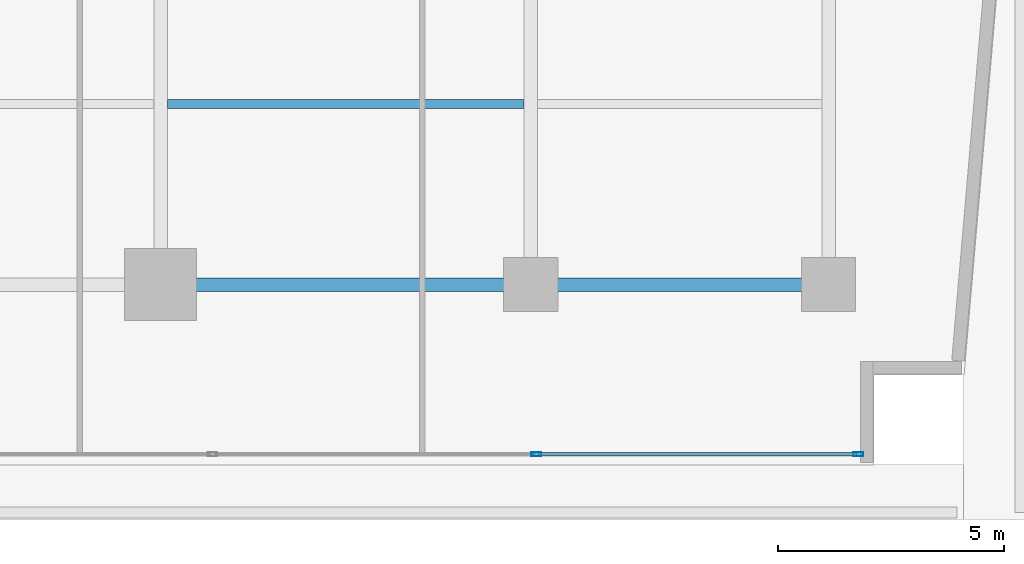
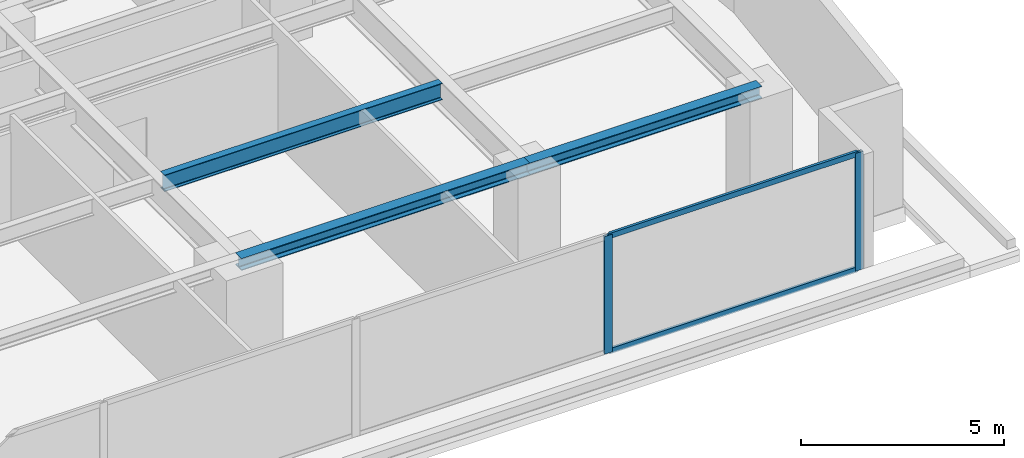
# One storey, part 11 of 29: 4 members, 3 beams, 1 element without a shape of its own.
"""IFC4 building model written with IfcOpenShell, lengths in metres."""

from ifc_helpers import new_model, si_unit, direction, frame, origin, origin_with_axes, origin_2d, place, context, subcontext, project, spatial, hollow_rectangle, i_section, extrude, source, transform, mapped, material, layer, layer_set, material_profile, profile_set, type_object, element, aggregate, save


model = new_model("IFC4")

# Units and contexts
model_context = context("Model", 3, precision=1e-05, world=origin(), true_north=direction((0.0, 1.0)))
body_context = subcontext(model_context, "Body", "Model", "MODEL_VIEW")
ifc_project = project(units=[si_unit("LENGTHUNIT", "METRE"), si_unit("AREAUNIT", "SQUARE_METRE"), si_unit("VOLUMEUNIT", "CUBIC_METRE"), si_unit("PLANEANGLEUNIT", "RADIAN"), si_unit("MASSUNIT", "GRAM", prefix="KILO")], contexts=[model_context])

# Site, building, storey
site_placement = place(None, origin())
site = spatial("IfcSite", under=ifc_project, at=site_placement, CompositionType="ELEMENT")
building_placement = place(site_placement, origin())
building = spatial("IfcBuilding", under=site, at=building_placement, Name="Kolvaren Waterfront Exchange", CompositionType="ELEMENT")
storey_placement = place(building_placement, frame((0.0, 0.0, 29.60009765625)))
storey = spatial("IfcBuildingStorey", under=building, at=storey_placement, Name="L07", CompositionType="ELEMENT", Elevation=29.60009765625)

# Beams
ifc_material_1 = material(Name="Steel S355", Category="steel")
ifc_material_profile_1 = material_profile(ifc_material_1, i_section(OverallWidth=0.300048828125, OverallDepth=0.360107421875, WebThickness=0.012451171875, FlangeThickness=0.0224609375, FilletRadius=0.027099609375, at=origin_2d()), Name="HEB360")
ifc_profile_set_1 = profile_set([ifc_material_profile_1], Name="Steel S355")
beam_type_1 = type_object("IfcBeamType", Name="STR-BM-HEB360", PredefinedType="SPANDREL", material=ifc_profile_set_1)
beam_1_placement = place(storey_placement, frame((45.60009765625, 5.199951171875, 3.35986328125), z_axis=(1.0, 0.0, 0.0), x_axis=(0.0, 1.0, 0.0)))
element("IfcBeam", 1, at=beam_1_placement, inside=storey, type_object=beam_type_1, Name="L07 east-arm spandrel S4", PredefinedType="SPANDREL", context=body_context, shape_type="SweptSolid", body=[
    extrude(i_section(OverallWidth=0.300048828125, OverallDepth=0.360107421875, WebThickness=0.012451171875, FlangeThickness=0.0224609375, FilletRadius=0.027099609375, at=origin_2d()), origin(), (0.0, 0.0, 1.0), 8.199951171875),
])
beam_2_placement = place(storey_placement, frame((53.800048828125, 5.199951171875, 3.35986328125), z_axis=(1.0, 0.0, 0.0), x_axis=(0.0, 1.0, 0.0)))
element("IfcBeam", 2, at=beam_2_placement, inside=storey, type_object=beam_type_1, Name="L07 east-arm spandrel S5", PredefinedType="SPANDREL", context=body_context, shape_type="SweptSolid", body=[
    extrude(i_section(OverallWidth=0.300048828125, OverallDepth=0.360107421875, WebThickness=0.012451171875, FlangeThickness=0.0224609375, FilletRadius=0.027099609375, at=origin_2d()), origin(), (0.0, 0.0, 1.0), 6.599853515625),
])
ifc_material_profile_2 = material_profile(ifc_material_1, i_section(OverallWidth=0.199951171875, OverallDepth=0.5, WebThickness=0.01025390625, FlangeThickness=0.01611328125, FilletRadius=0.02099609375, at=origin_2d()), Name="IPE500")
ifc_profile_set_2 = profile_set([ifc_material_profile_2], Name="Steel S355")
beam_type_2 = type_object("IfcBeamType", Name="STR-BM-IPE500", PredefinedType="JOIST", material=ifc_profile_set_2)
beam_3_placement = place(storey_placement, frame((45.7529296875, 9.199951171875, 3.289794921875), z_axis=(1.0, 0.0, 0.0), x_axis=(0.0, 1.0, 0.0)))
element("IfcBeam", 3, at=beam_3_placement, inside=storey, type_object=beam_type_2, Name="L07 east-arm composite joist 4B", PredefinedType="JOIST", context=body_context, shape_type="SweptSolid", body=[
    extrude(i_section(OverallWidth=0.199951171875, OverallDepth=0.5, WebThickness=0.01025390625, FlangeThickness=0.01611328125, FilletRadius=0.02099609375, at=origin_2d()), origin(), (0.0, 0.0, 1.0), 7.89404296875),
])

# Curtain wall, members
ifc_material_2 = material(Name="Anodised bronze aluminium 6063-T6", Category="aluminium")
ifc_layer = layer(ifc_material_2, 0.219970703125, Name="Anodised bronze aluminium 6063-T6")
ifc_layer_set = layer_set([ifc_layer], Name="Anodised bronze aluminium 6063-T6")
curtain_wall_type = type_object("IfcCurtainWallType", Name="ARC-CW-SYS1", PredefinedType="USERDEFINED", material=ifc_layer_set)
curtain_wall_placement = place(storey_placement, origin())
curtain_wall = element("IfcCurtainWall", 4, at=curtain_wall_placement, inside=storey, type_object=curtain_wall_type, Name="L07 stick curtain wall CW1 (CW-L07-S)", ObjectType="STICK CURTAIN WALL", PredefinedType="USERDEFINED")
ifc_material_3 = material(Name="Anodised aluminium 6063-T6", Category="aluminium")
ifc_material_profile_3 = material_profile(ifc_material_3, hollow_rectangle(XDim=0.080078125, YDim=0.219970703125, WallThickness=0.0048828125, at=origin_2d()), Name="ALU-MUL-220x80x5")
ifc_profile_set_3 = profile_set([ifc_material_profile_3], Name="Anodised aluminium 6063-T6")
member_type_1 = type_object("IfcMemberType", Name="ARC-CWM-220", PredefinedType="MULLION", material=ifc_profile_set_3)
shared_shape_1 = source(origin_with_axes(), body_context, "Body", "SweptSolid", [
    extrude(hollow_rectangle(XDim=0.080078125, YDim=0.219970703125, WallThickness=0.0048828125, at=origin_2d()), origin(), (0.0, 0.0, 1.0), 3.539794921875),
])
member_1_placement = place(storey_placement, frame((53.925048828125, 1.43994140625, 0.0), z_axis=(0.0, 0.0, 1.0), x_axis=(0.0, 1.0, 0.0)))
member_1 = element("IfcMember", 5, at=member_1_placement, type_object=member_type_1, Name="CW1 mullion 8", PredefinedType="MULLION", context=body_context, shape_type="MappedRepresentation", body=[
    mapped(shared_shape_1, transform((0.0, 0.0, 0.0), x_axis=(1.0, 0.0, 0.0), y_axis=(0.0, 1.0, 0.0), z_axis=(0.0, 0.0, 1.0), scale=1.0)),
])
member_2_placement = place(storey_placement, frame((61.06005859375, 1.43994140625, 0.0), z_axis=(0.0, 0.0, 1.0), x_axis=(0.0, 1.0, 0.0)))
member_2 = element("IfcMember", 6, at=member_2_placement, type_object=member_type_1, Name="CW1 mullion 9", PredefinedType="MULLION", context=body_context, shape_type="MappedRepresentation", body=[
    mapped(shared_shape_1, transform((0.0, 0.0, 0.0), x_axis=(1.0, 0.0, 0.0), y_axis=(0.0, 1.0, 0.0), z_axis=(0.0, 0.0, 1.0), scale=1.0)),
])
ifc_material_profile_4 = material_profile(ifc_material_3, hollow_rectangle(XDim=0.074951171875, YDim=0.159912109375, WallThickness=0.00439453125, at=origin_2d()), Name="ALU-TRN-160x75x4.5")
ifc_profile_set_4 = profile_set([ifc_material_profile_4], Name="Anodised aluminium 6063-T6")
member_type_2 = type_object("IfcMemberType", Name="ARC-CWT-160", PredefinedType="USERDEFINED", material=ifc_profile_set_4)
shared_shape_2 = source(origin_with_axes(), body_context, "Body", "SweptSolid", [
    extrude(hollow_rectangle(XDim=0.074951171875, YDim=0.159912109375, WallThickness=0.00439453125, at=origin_2d()), origin(), (0.0, 0.0, 1.0), 7.054931640625),
])
member_3_placement = place(storey_placement, frame((53.965087890625, 1.43994140625, 0.037353515625), z_axis=(1.0, 0.0, 0.0), x_axis=(0.0, 1.0, 0.0)))
member_3 = element("IfcMember", 7, at=member_3_placement, type_object=member_type_2, Name="CW1 transom 8.1", ObjectType="TRANSOM", PredefinedType="USERDEFINED", context=body_context, shape_type="MappedRepresentation", body=[
    mapped(shared_shape_2, transform((0.0, 0.0, 0.0), x_axis=(1.0, 0.0, 0.0), y_axis=(0.0, 1.0, 0.0), z_axis=(0.0, 0.0, 1.0), scale=1.0)),
])
member_4_placement = place(storey_placement, frame((53.965087890625, 1.43994140625, 3.50244140625), z_axis=(1.0, 0.0, 0.0), x_axis=(0.0, 1.0, 0.0)))
member_4 = element("IfcMember", 8, at=member_4_placement, type_object=member_type_2, Name="CW1 transom 8.2", ObjectType="TRANSOM", PredefinedType="USERDEFINED", context=body_context, shape_type="MappedRepresentation", body=[
    mapped(shared_shape_2, transform((0.0, 0.0, 0.0), x_axis=(1.0, 0.0, 0.0), y_axis=(0.0, 1.0, 0.0), z_axis=(0.0, 0.0, 1.0), scale=1.0)),
])
aggregate(curtain_wall, [member_1, member_2, member_3, member_4])

save(model, "model.ifc")
